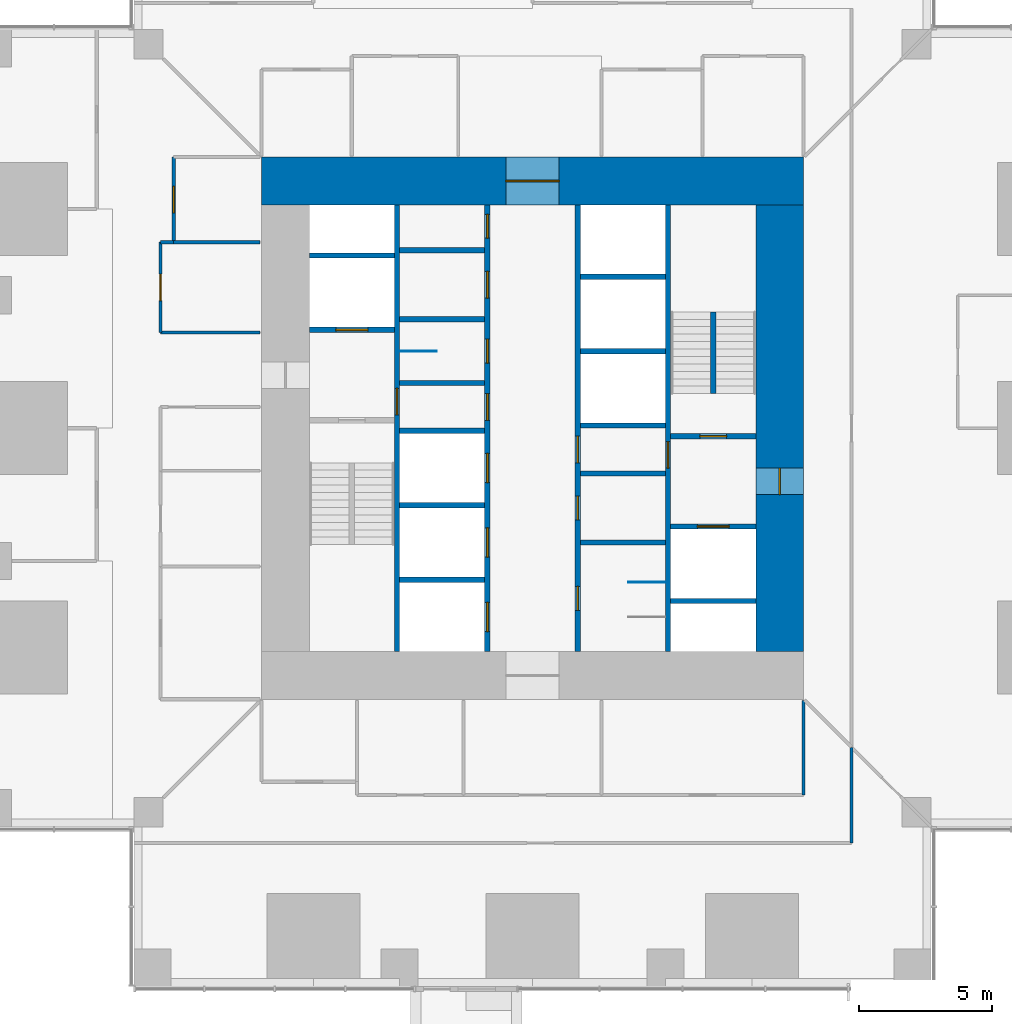
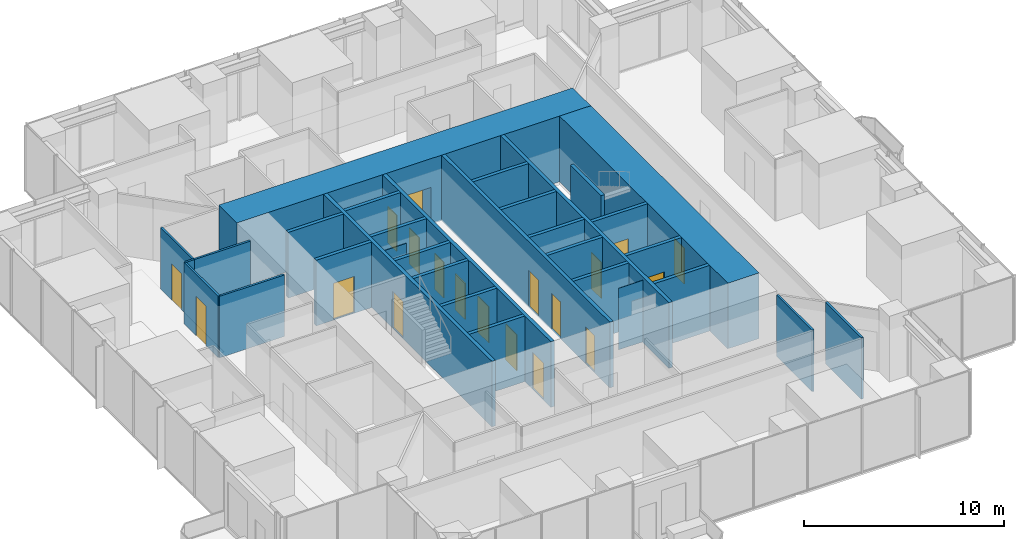
# One storey, part 12 of 17: 32 walls, 19 doors, 19 openings.
"""IFC4 building model written with IfcOpenShell, lengths in metres."""

from ifc_helpers import new_model, si_unit, direction, frame, frame_2d, origin, place, context, subcontext, project, spatial, rectangle, extrude, material, layer, layer_set, type_object, element, fill, save


model = new_model("IFC4")

# Units and contexts
model_context = context("Model", 3, precision=1e-05, world=origin(), true_north=direction((0.0, 1.0)))
body_context = subcontext(model_context, "Body", "Model", "MODEL_VIEW")
ifc_project = project(units=[si_unit("LENGTHUNIT", "METRE"), si_unit("AREAUNIT", "SQUARE_METRE"), si_unit("VOLUMEUNIT", "CUBIC_METRE"), si_unit("PLANEANGLEUNIT", "RADIAN"), si_unit("MASSUNIT", "GRAM", prefix="KILO")], contexts=[model_context])

# Site, building, storey
site_placement = place(None, origin())
site = spatial("IfcSite", under=ifc_project, at=site_placement, CompositionType="ELEMENT")
building_placement = place(site_placement, origin())
building = spatial("IfcBuilding", under=site, at=building_placement, Name="Svetlomir Tower", CompositionType="ELEMENT")
storey_placement = place(building_placement, frame((0.0, 0.0, 30.5)))
storey = spatial("IfcBuildingStorey", under=building, at=storey_placement, Name="L06", CompositionType="ELEMENT", Elevation=30.5)

# Wall, opening, door
ifc_material_1 = material(Name="Concrete C60/75", Category="concrete")
ifc_layer_1 = layer(ifc_material_1, 0.199951171875)
ifc_layer_set_1 = layer_set([ifc_layer_1], Name="Concrete C60/75")
wall_type_1 = type_object("IfcWallType", Name="CORE INNER WALL 200", PredefinedType="SHEAR", material=ifc_layer_set_1)
wall_1_placement = place(storey_placement, frame((15.89990234375, 12.60009765625, -0.050048828125), z_axis=(0.0, 0.0, 1.0), x_axis=(0.0, 1.0, 0.0)))
wall_1 = element("IfcWall", 1, at=wall_1_placement, inside=storey, type_object=wall_type_1, Name="Core inner wall 15.9 L06", PredefinedType="SHEAR", context=body_context, shape_type="SweptSolid", body=[
    extrude(rectangle(XDim=16.7998046875, YDim=0.199951171875, at=frame_2d((8.39990234375, 0.0))), origin(), (0.0, 0.0, 1.0), 4.0),
])
opening_1_placement = place(wall_1_placement, frame((8.89990234375, 0.0, 0.050048828125)))
opening_1 = element("IfcOpeningElement", 2, at=opening_1_placement, cuts=wall_1, Name="Opening DF", PredefinedType="OPENING", context=body_context, shape_type="SweptSolid", body=[
    extrude(rectangle(XDim=1.0, YDim=2.199951171875, at=frame_2d((0.5, 1.10009765625))), frame((0.0, 0.10986328125, 0.0), z_axis=(0.0, -1.0, 0.0), x_axis=(1.0, 0.0, 0.0)), (0.0, 0.0, 1.0), 0.219970703125),
])
ifc_material_2 = material(Name="Steel fire door", Category="steel")
door_type_1 = type_object("IfcDoorType", Name="DOOR DF 1000x2200", OperationType="SINGLE_SWING_LEFT", PredefinedType="DOOR", material=ifc_material_2)
door_1_placement = place(opening_1_placement, origin())
door_1 = element("IfcDoor", 3, at=door_1_placement, inside=storey, type_object=door_type_1, Name="Core corridor west door L06", OperationType="SINGLE_SWING_LEFT", OverallHeight=2.199951171875, OverallWidth=1.0, PredefinedType="DOOR", context=body_context, shape_type="SweptSolid", body=[
    extrude(rectangle(XDim=1.0, YDim=2.199951171875, at=frame_2d((0.5, 1.10009765625))), frame((0.0, 0.02490234375, 0.0), z_axis=(0.0, -1.0, 0.0), x_axis=(1.0, 0.0, 0.0)), (0.0, 0.0, 1.0), 0.050048828125),
])
fill(opening_1, door_1)

# Wall, openings, doors
wall_2_placement = place(storey_placement, frame((19.300048828125, 12.60009765625, -0.050048828125), z_axis=(0.0, 0.0, 1.0), x_axis=(0.0, 1.0, 0.0)))
wall_2 = element("IfcWall", 4, at=wall_2_placement, inside=storey, type_object=wall_type_1, Name="Core inner wall 19.3 L06", PredefinedType="SHEAR", context=body_context, shape_type="SweptSolid", body=[
    extrude(rectangle(XDim=16.7998046875, YDim=0.199951171875, at=frame_2d((8.39990234375, 0.0))), origin(), (0.0, 0.0, 1.0), 4.0),
])
opening_2_placement = place(wall_2_placement, frame((8.699951171875, 0.0, 0.050048828125)))
opening_2 = element("IfcOpeningElement", 5, at=opening_2_placement, cuts=wall_2, Name="Opening DC", PredefinedType="OPENING", context=body_context, shape_type="SweptSolid", body=[
    extrude(rectangle(XDim=1.0, YDim=2.199951171875, at=frame_2d((0.5, 1.10009765625))), frame((0.0, 0.10986328125, 0.0), z_axis=(0.0, -1.0, 0.0), x_axis=(1.0, 0.0, 0.0)), (0.0, 0.0, 1.0), 0.219970703125),
])
opening_3_placement = place(wall_2_placement, frame((10.85009765625, 0.0, 0.050048828125)))
opening_3 = element("IfcOpeningElement", 6, at=opening_3_placement, cuts=wall_2, Name="Opening DW", PredefinedType="OPENING", context=body_context, shape_type="SweptSolid", body=[
    extrude(rectangle(XDim=0.89990234375, YDim=2.199951171875, at=frame_2d((0.449951171875, 1.10009765625))), frame((0.0, 0.10986328125, 0.0), z_axis=(0.0, -1.0, 0.0), x_axis=(1.0, 0.0, 0.0)), (0.0, 0.0, 1.0), 0.219970703125),
])
opening_4_placement = place(wall_2_placement, frame((13.300048828125, 0.0, 0.050048828125)))
opening_4 = element("IfcOpeningElement", 7, at=opening_4_placement, cuts=wall_2, Name="Opening DC", PredefinedType="OPENING", context=body_context, shape_type="SweptSolid", body=[
    extrude(rectangle(XDim=1.0, YDim=2.199951171875, at=frame_2d((0.5, 1.10009765625))), frame((0.0, 0.10986328125, 0.0), z_axis=(0.0, -1.0, 0.0), x_axis=(1.0, 0.0, 0.0)), (0.0, 0.0, 1.0), 0.219970703125),
])
opening_5_placement = place(wall_2_placement, frame((15.550048828125, 0.0, 0.050048828125)))
opening_5 = element("IfcOpeningElement", 8, at=opening_5_placement, cuts=wall_2, Name="Opening DW", PredefinedType="OPENING", context=body_context, shape_type="SweptSolid", body=[
    extrude(rectangle(XDim=0.89990234375, YDim=2.199951171875, at=frame_2d((0.449951171875, 1.10009765625))), frame((0.0, 0.10986328125, 0.0), z_axis=(0.0, -1.0, 0.0), x_axis=(1.0, 0.0, 0.0)), (0.0, 0.0, 1.0), 0.219970703125),
])
opening_6_placement = place(wall_2_placement, frame((0.75, 0.0, 0.050048828125)))
opening_6 = element("IfcOpeningElement", 9, at=opening_6_placement, cuts=wall_2, Name="Opening LD", PredefinedType="OPENING", context=body_context, shape_type="SweptSolid", body=[
    extrude(rectangle(XDim=1.10009765625, YDim=2.199951171875, at=frame_2d((0.550048828125, 1.10009765625))), frame((0.0, 0.10986328125, 0.0), z_axis=(0.0, -1.0, 0.0), x_axis=(1.0, 0.0, 0.0)), (0.0, 0.0, 1.0), 0.219970703125),
])
opening_7_placement = place(wall_2_placement, frame((3.550048828125, 0.0, 0.050048828125)))
opening_7 = element("IfcOpeningElement", 10, at=opening_7_placement, cuts=wall_2, Name="Opening LD", PredefinedType="OPENING", context=body_context, shape_type="SweptSolid", body=[
    extrude(rectangle(XDim=1.10009765625, YDim=2.199951171875, at=frame_2d((0.550048828125, 1.10009765625))), frame((0.0, 0.10986328125, 0.0), z_axis=(0.0, -1.0, 0.0), x_axis=(1.0, 0.0, 0.0)), (0.0, 0.0, 1.0), 0.219970703125),
])
opening_8_placement = place(wall_2_placement, frame((6.35009765625, 0.0, 0.050048828125)))
opening_8 = element("IfcOpeningElement", 11, at=opening_8_placement, cuts=wall_2, Name="Opening LD", PredefinedType="OPENING", context=body_context, shape_type="SweptSolid", body=[
    extrude(rectangle(XDim=1.10009765625, YDim=2.199951171875, at=frame_2d((0.550048828125, 1.10009765625))), frame((0.0, 0.10986328125, 0.0), z_axis=(0.0, -1.0, 0.0), x_axis=(1.0, 0.0, 0.0)), (0.0, 0.0, 1.0), 0.219970703125),
])
ifc_material_3 = material(Name="Timber fire door", Category="wood")
door_type_2 = type_object("IfcDoorType", Name="DOOR DC 1000x2200", OperationType="SINGLE_SWING_LEFT", PredefinedType="DOOR", material=ifc_material_3)
door_2_placement = place(opening_2_placement, origin())
door_2 = element("IfcDoor", 12, at=door_2_placement, inside=storey, type_object=door_type_2, Name="Core corridor west lobby door L06", OperationType="SINGLE_SWING_LEFT", OverallHeight=2.199951171875, OverallWidth=1.0, PredefinedType="DOOR", context=body_context, shape_type="SweptSolid", body=[
    extrude(rectangle(XDim=1.0, YDim=2.199951171875, at=frame_2d((0.5, 1.10009765625))), frame((0.0, 0.02490234375, 0.0), z_axis=(0.0, -1.0, 0.0), x_axis=(1.0, 0.0, 0.0)), (0.0, 0.0, 1.0), 0.050048828125),
])
fill(opening_2, door_2)
door_3_placement = place(opening_4_placement, origin())
door_3 = element("IfcDoor", 13, at=door_3_placement, inside=storey, type_object=door_type_2, Name="Accessible WC door L06", OperationType="SINGLE_SWING_RIGHT", OverallHeight=2.199951171875, OverallWidth=1.0, PredefinedType="DOOR", context=body_context, shape_type="SweptSolid", body=[
    extrude(rectangle(XDim=1.0, YDim=2.199951171875, at=frame_2d((0.5, 1.10009765625))), frame((0.0, 0.02490234375, 0.0), z_axis=(0.0, -1.0, 0.0), x_axis=(1.0, 0.0, 0.0)), (0.0, 0.0, 1.0), 0.050048828125),
])
fill(opening_4, door_3)
ifc_material_4 = material(Name="Timber fire door", Category="wood")
door_type_3 = type_object("IfcDoorType", Name="DOOR DW 900x2200", OperationType="SINGLE_SWING_LEFT", PredefinedType="DOOR", material=ifc_material_4)
door_4_placement = place(opening_3_placement, origin())
door_4 = element("IfcDoor", 14, at=door_4_placement, inside=storey, type_object=door_type_3, Name="Female WC door L06", OperationType="SINGLE_SWING_LEFT", OverallHeight=2.199951171875, OverallWidth=0.89990234375, PredefinedType="DOOR", context=body_context, shape_type="SweptSolid", body=[
    extrude(rectangle(XDim=0.89990234375, YDim=2.199951171875, at=frame_2d((0.449951171875, 1.10009765625))), frame((0.0, 0.02490234375, 0.0), z_axis=(0.0, -1.0, 0.0), x_axis=(1.0, 0.0, 0.0)), (0.0, 0.0, 1.0), 0.050048828125),
])
fill(opening_3, door_4)
door_5_placement = place(opening_5_placement, origin())
door_5 = element("IfcDoor", 15, at=door_5_placement, inside=storey, type_object=door_type_3, Name="First aid room door L06", OperationType="SINGLE_SWING_LEFT", OverallHeight=2.199951171875, OverallWidth=0.89990234375, PredefinedType="DOOR", context=body_context, shape_type="SweptSolid", body=[
    extrude(rectangle(XDim=0.89990234375, YDim=2.199951171875, at=frame_2d((0.449951171875, 1.10009765625))), frame((0.0, 0.02490234375, 0.0), z_axis=(0.0, -1.0, 0.0), x_axis=(1.0, 0.0, 0.0)), (0.0, 0.0, 1.0), 0.050048828125),
])
fill(opening_5, door_5)
ifc_material_5 = material(Name="Stainless steel landing door", Category="steel")
door_type_4 = type_object("IfcDoorType", Name="LIFT LANDING DOOR LD 1100x2200", OperationType="DOUBLE_DOOR_SLIDING", PredefinedType="DOOR", material=ifc_material_5)
door_6_placement = place(opening_6_placement, origin())
door_6 = element("IfcDoor", 16, at=door_6_placement, inside=storey, type_object=door_type_4, Name="Landing door lift LA1 L06", OperationType="DOUBLE_DOOR_SLIDING", OverallHeight=2.199951171875, OverallWidth=1.10009765625, PredefinedType="DOOR", context=body_context, shape_type="SweptSolid", body=[
    extrude(rectangle(XDim=1.10009765625, YDim=2.199951171875, at=frame_2d((0.550048828125, 1.10009765625))), frame((0.0, 0.02490234375, 0.0), z_axis=(0.0, -1.0, 0.0), x_axis=(1.0, 0.0, 0.0)), (0.0, 0.0, 1.0), 0.050048828125),
])
fill(opening_6, door_6)
door_7_placement = place(opening_7_placement, origin())
door_7 = element("IfcDoor", 17, at=door_7_placement, inside=storey, type_object=door_type_4, Name="Landing door lift LA2 L06", OperationType="DOUBLE_DOOR_SLIDING", OverallHeight=2.199951171875, OverallWidth=1.10009765625, PredefinedType="DOOR", context=body_context, shape_type="SweptSolid", body=[
    extrude(rectangle(XDim=1.10009765625, YDim=2.199951171875, at=frame_2d((0.550048828125, 1.10009765625))), frame((0.0, 0.02490234375, 0.0), z_axis=(0.0, -1.0, 0.0), x_axis=(1.0, 0.0, 0.0)), (0.0, 0.0, 1.0), 0.050048828125),
])
fill(opening_7, door_7)
door_8_placement = place(opening_8_placement, origin())
door_8 = element("IfcDoor", 18, at=door_8_placement, inside=storey, type_object=door_type_4, Name="Landing door lift LA3 L06", OperationType="DOUBLE_DOOR_SLIDING", OverallHeight=2.199951171875, OverallWidth=1.10009765625, PredefinedType="DOOR", context=body_context, shape_type="SweptSolid", body=[
    extrude(rectangle(XDim=1.10009765625, YDim=2.199951171875, at=frame_2d((0.550048828125, 1.10009765625))), frame((0.0, 0.02490234375, 0.0), z_axis=(0.0, -1.0, 0.0), x_axis=(1.0, 0.0, 0.0)), (0.0, 0.0, 1.0), 0.050048828125),
])
fill(opening_8, door_8)

wall_3_placement = place(storey_placement, frame((22.699951171875, 12.60009765625, -0.050048828125), z_axis=(0.0, 0.0, 1.0), x_axis=(0.0, 1.0, 0.0)))
wall_3 = element("IfcWall", 19, at=wall_3_placement, inside=storey, type_object=wall_type_1, Name="Core inner wall 22.7 L06", PredefinedType="SHEAR", context=body_context, shape_type="SweptSolid", body=[
    extrude(rectangle(XDim=16.7998046875, YDim=0.199951171875, at=frame_2d((8.39990234375, 0.0))), origin(), (0.0, 0.0, 1.0), 4.0),
])
opening_9_placement = place(wall_3_placement, frame((7.10009765625, 0.0, 0.050048828125)))
opening_9 = element("IfcOpeningElement", 20, at=opening_9_placement, cuts=wall_3, Name="Opening DC", PredefinedType="OPENING", context=body_context, shape_type="SweptSolid", body=[
    extrude(rectangle(XDim=1.0, YDim=2.199951171875, at=frame_2d((0.5, 1.10009765625))), frame((0.0, 0.10986328125, 0.0), z_axis=(0.0, -1.0, 0.0), x_axis=(1.0, 0.0, 0.0)), (0.0, 0.0, 1.0), 0.219970703125),
])
opening_10_placement = place(wall_3_placement, frame((1.550048828125, 0.0, 0.050048828125)))
opening_10 = element("IfcOpeningElement", 21, at=opening_10_placement, cuts=wall_3, Name="Opening DW", PredefinedType="OPENING", context=body_context, shape_type="SweptSolid", body=[
    extrude(rectangle(XDim=0.89990234375, YDim=2.199951171875, at=frame_2d((0.449951171875, 1.10009765625))), frame((0.0, 0.10986328125, 0.0), z_axis=(0.0, -1.0, 0.0), x_axis=(1.0, 0.0, 0.0)), (0.0, 0.0, 1.0), 0.219970703125),
])
opening_11_placement = place(wall_3_placement, frame((4.949951171875, 0.0, 0.050048828125)))
opening_11 = element("IfcOpeningElement", 22, at=opening_11_placement, cuts=wall_3, Name="Opening DW", PredefinedType="OPENING", context=body_context, shape_type="SweptSolid", body=[
    extrude(rectangle(XDim=0.89990234375, YDim=2.199951171875, at=frame_2d((0.449951171875, 1.10009765625))), frame((0.0, 0.10986328125, 0.0), z_axis=(0.0, -1.0, 0.0), x_axis=(1.0, 0.0, 0.0)), (0.0, 0.0, 1.0), 0.219970703125),
])
door_9_placement = place(opening_9_placement, origin())
door_9 = element("IfcDoor", 23, at=door_9_placement, inside=storey, type_object=door_type_2, Name="Core corridor east lobby door L06", OperationType="SINGLE_SWING_RIGHT", OverallHeight=2.199951171875, OverallWidth=1.0, PredefinedType="DOOR", context=body_context, shape_type="SweptSolid", body=[
    extrude(rectangle(XDim=1.0, YDim=2.199951171875, at=frame_2d((0.5, 1.10009765625))), frame((0.0, 0.02490234375, 0.0), z_axis=(0.0, -1.0, 0.0), x_axis=(1.0, 0.0, 0.0)), (0.0, 0.0, 1.0), 0.050048828125),
])
fill(opening_9, door_9)
door_10_placement = place(opening_10_placement, origin())
door_10 = element("IfcDoor", 24, at=door_10_placement, inside=storey, type_object=door_type_3, Name="Male WC door L06", OperationType="SINGLE_SWING_RIGHT", OverallHeight=2.199951171875, OverallWidth=0.89990234375, PredefinedType="DOOR", context=body_context, shape_type="SweptSolid", body=[
    extrude(rectangle(XDim=0.89990234375, YDim=2.199951171875, at=frame_2d((0.449951171875, 1.10009765625))), frame((0.0, 0.02490234375, 0.0), z_axis=(0.0, -1.0, 0.0), x_axis=(1.0, 0.0, 0.0)), (0.0, 0.0, 1.0), 0.050048828125),
])
fill(opening_10, door_10)
door_11_placement = place(opening_11_placement, origin())
door_11 = element("IfcDoor", 25, at=door_11_placement, inside=storey, type_object=door_type_3, Name="Comms room door L06", OperationType="SINGLE_SWING_LEFT", OverallHeight=2.199951171875, OverallWidth=0.89990234375, PredefinedType="DOOR", context=body_context, shape_type="SweptSolid", body=[
    extrude(rectangle(XDim=0.89990234375, YDim=2.199951171875, at=frame_2d((0.449951171875, 1.10009765625))), frame((0.0, 0.02490234375, 0.0), z_axis=(0.0, -1.0, 0.0), x_axis=(1.0, 0.0, 0.0)), (0.0, 0.0, 1.0), 0.050048828125),
])
fill(opening_11, door_11)

# Wall, opening, door
wall_4_placement = place(storey_placement, frame((26.10009765625, 12.60009765625, -0.050048828125), z_axis=(0.0, 0.0, 1.0), x_axis=(0.0, 1.0, 0.0)))
wall_4 = element("IfcWall", 26, at=wall_4_placement, inside=storey, type_object=wall_type_1, Name="Core inner wall 26.1 L06", PredefinedType="SHEAR", context=body_context, shape_type="SweptSolid", body=[
    extrude(rectangle(XDim=16.7998046875, YDim=0.199951171875, at=frame_2d((8.39990234375, 0.0))), origin(), (0.0, 0.0, 1.0), 4.0),
])
opening_12_placement = place(wall_4_placement, frame((6.89990234375, 0.0, 0.050048828125)))
opening_12 = element("IfcOpeningElement", 27, at=opening_12_placement, cuts=wall_4, Name="Opening DF", PredefinedType="OPENING", context=body_context, shape_type="SweptSolid", body=[
    extrude(rectangle(XDim=1.0, YDim=2.199951171875, at=frame_2d((0.5, 1.10009765625))), frame((0.0, 0.10986328125, 0.0), z_axis=(0.0, -1.0, 0.0), x_axis=(1.0, 0.0, 0.0)), (0.0, 0.0, 1.0), 0.219970703125),
])
door_12_placement = place(opening_12_placement, origin())
door_12 = element("IfcDoor", 28, at=door_12_placement, inside=storey, type_object=door_type_1, Name="Core corridor east door L06", OperationType="SINGLE_SWING_LEFT", OverallHeight=2.199951171875, OverallWidth=1.0, PredefinedType="DOOR", context=body_context, shape_type="SweptSolid", body=[
    extrude(rectangle(XDim=1.0, YDim=2.199951171875, at=frame_2d((0.5, 1.10009765625))), frame((0.0, 0.02490234375, 0.0), z_axis=(0.0, -1.0, 0.0), x_axis=(1.0, 0.0, 0.0)), (0.0, 0.0, 1.0), 0.050048828125),
])
fill(opening_12, door_12)

wall_5_placement = place(storey_placement, frame((12.60009765625, 24.699951171875, -0.050048828125), z_axis=(0.0, 0.0, 1.0), x_axis=(1.0, 0.0, 0.0)))
wall_5 = element("IfcWall", 29, at=wall_5_placement, inside=storey, type_object=wall_type_1, Name="Core inner wall 12.6-15.8/24.7 L06", PredefinedType="SHEAR", context=body_context, shape_type="SweptSolid", body=[
    extrude(rectangle(XDim=3.199951171875, YDim=0.199951171875, at=frame_2d((1.60009765625, 0.0))), origin(), (0.0, 0.0, 1.0), 4.0),
])
opening_13_placement = place(wall_5_placement, frame((1.0, 0.0, 0.050048828125)))
opening_13 = element("IfcOpeningElement", 30, at=opening_13_placement, cuts=wall_5, Name="Opening LD3", PredefinedType="OPENING", context=body_context, shape_type="SweptSolid", body=[
    extrude(rectangle(XDim=1.199951171875, YDim=2.199951171875, at=frame_2d((0.60009765625, 1.10009765625))), frame((0.0, 0.10986328125, 0.0), z_axis=(0.0, -1.0, 0.0), x_axis=(1.0, 0.0, 0.0)), (0.0, 0.0, 1.0), 0.219970703125),
])
ifc_material_6 = material(Name="Stainless steel fire-rated landing door", Category="steel")
door_type_5 = type_object("IfcDoorType", Name="FIREFIGHTING LIFT LANDING DOOR LD3 1200x2200", OperationType="DOUBLE_DOOR_SLIDING", PredefinedType="DOOR", material=ifc_material_6)
door_13_placement = place(opening_13_placement, origin())
door_13 = element("IfcDoor", 31, at=door_13_placement, inside=storey, type_object=door_type_5, Name="Landing door lift FL1 L06", OperationType="DOUBLE_DOOR_SLIDING", OverallHeight=2.199951171875, OverallWidth=1.199951171875, PredefinedType="DOOR", context=body_context, shape_type="SweptSolid", body=[
    extrude(rectangle(XDim=1.199951171875, YDim=2.199951171875, at=frame_2d((0.60009765625, 1.10009765625))), frame((0.0, 0.02490234375, 0.0), z_axis=(0.0, -1.0, 0.0), x_axis=(1.0, 0.0, 0.0)), (0.0, 0.0, 1.0), 0.050048828125),
])
fill(opening_13, door_13)

# Walls
for number, where, z_axis, x_axis, name in (
    (32, (12.60009765625, 27.5, -0.050048828125), (0.0, 0.0, 1.0), (1.0, 0.0, 0.0), "Core inner wall 12.6-15.8/27.5 L06"),
    (33, (16.0, 15.300048828125, -0.050048828125), (0.0, 0.0, 1.0), (1.0, 0.0, 0.0), "Core inner wall 16-19.2/15.3 L06"),
    (34, (16.0, 18.10009765625, -0.050048828125), (0.0, 0.0, 1.0), (1.0, 0.0, 0.0), "Core inner wall 16-19.2/18.1 L06"),
    (35, (16.0, 20.89990234375, -0.050048828125), (0.0, 0.0, 1.0), (1.0, 0.0, 0.0), "Core inner wall 16-19.2/20.9 L06"),
    (36, (16.0, 22.699951171875, -0.050048828125), (0.0, 0.0, 1.0), (1.0, 0.0, 0.0), "Core inner wall 16-19.2/22.7 L06"),
    (37, (16.0, 25.10009765625, -0.050048828125), (0.0, 0.0, 1.0), (1.0, 0.0, 0.0), "Core inner wall 16-19.2/25.1 L06"),
    (38, (16.0, 27.699951171875, -0.050048828125), (0.0, 0.0, 1.0), (1.0, 0.0, 0.0), "Core inner wall 16-19.2/27.7 L06"),
    (39, (22.800048828125, 16.699951171875, -0.050048828125), (0.0, 0.0, 1.0), (1.0, 0.0, 0.0), "Core inner wall 22.8-26/16.7 L06"),
    (40, (22.800048828125, 19.300048828125, -0.050048828125), (0.0, 0.0, 1.0), (1.0, 0.0, 0.0), "Core inner wall 22.8-26/19.3 L06"),
    (41, (22.800048828125, 21.10009765625, -0.050048828125), (0.0, 0.0, 1.0), (1.0, 0.0, 0.0), "Core inner wall 22.8-26/21.1 L06"),
    (42, (22.800048828125, 23.89990234375, -0.050048828125), (0.0, 0.0, 1.0), (1.0, 0.0, 0.0), "Core inner wall 22.8-26/23.9 L06"),
    (43, (22.800048828125, 26.699951171875, -0.050048828125), (0.0, 0.0, 1.0), (1.0, 0.0, 0.0), "Core inner wall 22.8-26/26.7 L06"),
    (44, (26.199951171875, 14.5, -0.050048828125), (0.0, 0.0, 1.0), (1.0, 0.0, 0.0), "Core inner wall 26.2-29.4/14.5 L06"),
):
    element("IfcWall", number, at=place(storey_placement, frame(where, z_axis=z_axis, x_axis=x_axis)), inside=storey, type_object=wall_type_1, Name=name, PredefinedType="SHEAR", context=body_context, shape_type="SweptSolid", body=[
        extrude(rectangle(XDim=3.199951171875, YDim=0.199951171875, at=frame_2d((1.60009765625, 0.0))), origin(), (0.0, 0.0, 1.0), 4.0),
    ])

# Wall, opening, door
wall_6_placement = place(storey_placement, frame((26.199951171875, 17.300048828125, -0.050048828125), z_axis=(0.0, 0.0, 1.0), x_axis=(1.0, 0.0, 0.0)))
wall_6 = element("IfcWall", 45, at=wall_6_placement, inside=storey, type_object=wall_type_1, Name="Core inner wall 26.2-29.4/17.3 L06", PredefinedType="SHEAR", context=body_context, shape_type="SweptSolid", body=[
    extrude(rectangle(XDim=3.199951171875, YDim=0.199951171875, at=frame_2d((1.60009765625, 0.0))), origin(), (0.0, 0.0, 1.0), 4.0),
])
opening_14_placement = place(wall_6_placement, frame((1.0, 0.0, 0.050048828125)))
opening_14 = element("IfcOpeningElement", 46, at=opening_14_placement, cuts=wall_6, Name="Opening LD3", PredefinedType="OPENING", context=body_context, shape_type="SweptSolid", body=[
    extrude(rectangle(XDim=1.199951171875, YDim=2.199951171875, at=frame_2d((0.60009765625, 1.10009765625))), frame((0.0, 0.10986328125, 0.0), z_axis=(0.0, -1.0, 0.0), x_axis=(1.0, 0.0, 0.0)), (0.0, 0.0, 1.0), 0.219970703125),
])
door_14_placement = place(opening_14_placement, origin())
door_14 = element("IfcDoor", 47, at=door_14_placement, inside=storey, type_object=door_type_5, Name="Landing door lift FL2 L06", OperationType="DOUBLE_DOOR_SLIDING", OverallHeight=2.199951171875, OverallWidth=1.199951171875, PredefinedType="DOOR", context=body_context, shape_type="SweptSolid", body=[
    extrude(rectangle(XDim=1.199951171875, YDim=2.199951171875, at=frame_2d((0.60009765625, 1.10009765625))), frame((0.0, 0.02490234375, 0.0), z_axis=(0.0, -1.0, 0.0), x_axis=(1.0, 0.0, 0.0)), (0.0, 0.0, 1.0), 0.050048828125),
])
fill(opening_14, door_14)

wall_7_placement = place(storey_placement, frame((26.199951171875, 20.699951171875, -0.050048828125), z_axis=(0.0, 0.0, 1.0), x_axis=(1.0, 0.0, 0.0)))
wall_7 = element("IfcWall", 48, at=wall_7_placement, inside=storey, type_object=wall_type_1, Name="Core inner wall 26.2-29.4/20.7 L06", PredefinedType="SHEAR", context=body_context, shape_type="SweptSolid", body=[
    extrude(rectangle(XDim=3.199951171875, YDim=0.199951171875, at=frame_2d((1.60009765625, 0.0))), origin(), (0.0, 0.0, 1.0), 4.0),
])
opening_15_placement = place(wall_7_placement, frame((1.10009765625, 0.0, 0.050048828125)))
opening_15 = element("IfcOpeningElement", 49, at=opening_15_placement, cuts=wall_7, Name="Opening DF", PredefinedType="OPENING", context=body_context, shape_type="SweptSolid", body=[
    extrude(rectangle(XDim=1.0, YDim=2.199951171875, at=frame_2d((0.5, 1.10009765625))), frame((0.0, 0.10986328125, 0.0), z_axis=(0.0, -1.0, 0.0), x_axis=(1.0, 0.0, 0.0)), (0.0, 0.0, 1.0), 0.219970703125),
])
door_15_placement = place(opening_15_placement, origin())
door_15 = element("IfcDoor", 50, at=door_15_placement, inside=storey, type_object=door_type_1, Name="Stair S2 door L06", OperationType="SINGLE_SWING_RIGHT", OverallHeight=2.199951171875, OverallWidth=1.0, PredefinedType="DOOR", context=body_context, shape_type="SweptSolid", body=[
    extrude(rectangle(XDim=1.0, YDim=2.199951171875, at=frame_2d((0.5, 1.10009765625))), frame((0.0, 0.02490234375, 0.0), z_axis=(0.0, -1.0, 0.0), x_axis=(1.0, 0.0, 0.0)), (0.0, 0.0, 1.0), 0.050048828125),
])
fill(opening_15, door_15)

ifc_material_7 = material(Name="Concrete C60/75", Category="concrete")
ifc_layer_2 = layer(ifc_material_7, 1.800048828125)
ifc_layer_set_2 = layer_set([ifc_layer_2], Name="Concrete C60/75")
wall_type_2 = type_object("IfcWallType", Name="CORE WALL 1800", PredefinedType="SHEAR", material=ifc_layer_set_2)
wall_8_placement = place(storey_placement, frame((10.800048828125, 30.300048828125, -0.050048828125), z_axis=(0.0, 0.0, 1.0), x_axis=(1.0, 0.0, 0.0)))
wall_8 = element("IfcWall", 51, at=wall_8_placement, inside=storey, type_object=wall_type_2, Name="Core wall north L06", PredefinedType="SHEAR", context=body_context, shape_type="SweptSolid", body=[
    extrude(rectangle(XDim=20.39990234375, YDim=1.800048828125, at=frame_2d((10.199951171875, 0.0))), origin(), (0.0, 0.0, 1.0), 4.0),
])
opening_16_placement = place(wall_8_placement, frame((9.199951171875, 0.0, 0.050048828125)))
opening_16 = element("IfcOpeningElement", 52, at=opening_16_placement, cuts=wall_8, Name="Opening DL", PredefinedType="OPENING", context=body_context, shape_type="SweptSolid", body=[
    extrude(rectangle(XDim=2.0, YDim=2.199951171875, at=frame_2d((1.0, 1.10009765625))), frame((0.0, 0.91015625, 0.0), z_axis=(0.0, -1.0, 0.0), x_axis=(1.0, 0.0, 0.0)), (0.0, 0.0, 1.0), 1.820068359375),
])
ifc_material_8 = material(Name="Steel fire door", Category="steel")
door_type_6 = type_object("IfcDoorType", Name="DOOR DL 2000x2200", OperationType="DOUBLE_DOOR_SINGLE_SWING", PredefinedType="DOOR", material=ifc_material_8)
door_16_placement = place(opening_16_placement, origin())
door_16 = element("IfcDoor", 53, at=door_16_placement, inside=storey, type_object=door_type_6, Name="Lift lobby north door L06", OperationType="DOUBLE_DOOR_SINGLE_SWING", OverallHeight=2.199951171875, OverallWidth=2.0, PredefinedType="DOOR", context=body_context, shape_type="SweptSolid", body=[
    extrude(rectangle(XDim=2.0, YDim=2.199951171875, at=frame_2d((1.0, 1.10009765625))), frame((0.0, 0.02490234375, 0.0), z_axis=(0.0, -1.0, 0.0), x_axis=(1.0, 0.0, 0.0)), (0.0, 0.0, 1.0), 0.050048828125),
])
fill(opening_16, door_16)

wall_9_placement = place(storey_placement, frame((30.300048828125, 12.60009765625, -0.050048828125), z_axis=(0.0, 0.0, 1.0), x_axis=(0.0, 1.0, 0.0)))
wall_9 = element("IfcWall", 54, at=wall_9_placement, inside=storey, type_object=wall_type_2, Name="Core wall east L06", PredefinedType="SHEAR", context=body_context, shape_type="SweptSolid", body=[
    extrude(rectangle(XDim=16.7998046875, YDim=1.800048828125, at=frame_2d((8.39990234375, 0.0))), origin(), (0.0, 0.0, 1.0), 4.0),
])
opening_17_placement = place(wall_9_placement, frame((5.89990234375, 0.0, 0.050048828125)))
opening_17 = element("IfcOpeningElement", 55, at=opening_17_placement, cuts=wall_9, Name="Opening DF", PredefinedType="OPENING", context=body_context, shape_type="SweptSolid", body=[
    extrude(rectangle(XDim=1.0, YDim=2.199951171875, at=frame_2d((0.5, 1.10009765625))), frame((0.0, 0.91015625, 0.0), z_axis=(0.0, -1.0, 0.0), x_axis=(1.0, 0.0, 0.0)), (0.0, 0.0, 1.0), 1.820068359375),
])
door_17_placement = place(opening_17_placement, origin())
door_17 = element("IfcDoor", 56, at=door_17_placement, inside=storey, type_object=door_type_1, Name="Firefighting lobby east door L06", OperationType="SINGLE_SWING_RIGHT", OverallHeight=2.199951171875, OverallWidth=1.0, PredefinedType="DOOR", context=body_context, shape_type="SweptSolid", body=[
    extrude(rectangle(XDim=1.0, YDim=2.199951171875, at=frame_2d((0.5, 1.10009765625))), frame((0.0, 0.02490234375, 0.0), z_axis=(0.0, -1.0, 0.0), x_axis=(1.0, 0.0, 0.0)), (0.0, 0.0, 1.0), 0.050048828125),
])
fill(opening_17, door_17)

ifc_material_9 = material(Name="Gypsum board on steel studs", Category="steel")
ifc_layer_3 = layer(ifc_material_9, 0.1201171875)
ifc_layer_set_3 = layer_set([ifc_layer_3], Name="Gypsum board on steel studs")
wall_type_3 = type_object("IfcWallType", Name="PARTITION 120", PredefinedType="PARTITIONING", material=ifc_layer_set_3)
wall_10_placement = place(storey_placement, frame((7.0, 24.60009765625, 0.0), z_axis=(0.0, 0.0, 1.0), x_axis=(0.0, 1.0, 0.0)))
wall_10 = element("IfcWall", 57, at=wall_10_placement, inside=storey, type_object=wall_type_3, Name="Partition L06", PredefinedType="PARTITIONING", context=body_context, shape_type="SweptSolid", body=[
    extrude(rectangle(XDim=3.39990234375, YDim=0.1201171875, at=frame_2d((1.699951171875, 0.0))), origin(), (0.0, 0.0, 1.0), 3.75),
])
opening_18_placement = place(wall_10_placement, frame((1.199951171875, 0.0, 0.0)))
opening_18 = element("IfcOpeningElement", 58, at=opening_18_placement, cuts=wall_10, Name="Opening DG", PredefinedType="OPENING", context=body_context, shape_type="SweptSolid", body=[
    extrude(rectangle(XDim=1.0, YDim=2.39990234375, at=frame_2d((0.5, 1.199951171875))), frame((0.0, 0.070068359375, 0.0), z_axis=(0.0, -1.0, 0.0), x_axis=(1.0, 0.0, 0.0)), (0.0, 0.0, 1.0), 0.14013671875),
])
ifc_material_10 = material(Name="Framed laminated glass door", Category="glass")
door_type_7 = type_object("IfcDoorType", Name="GLAZED DOOR DG 1000x2400", OperationType="SINGLE_SWING_LEFT", PredefinedType="DOOR", material=ifc_material_10)
door_18_placement = place(opening_18_placement, origin())
door_18 = element("IfcDoor", 59, at=door_18_placement, inside=storey, type_object=door_type_7, Name="Phone rooms door L06", OperationType="SINGLE_SWING_RIGHT", OverallHeight=2.39990234375, OverallWidth=1.0, PredefinedType="DOOR", context=body_context, shape_type="SweptSolid", body=[
    extrude(rectangle(XDim=1.0, YDim=2.39990234375, at=frame_2d((0.5, 1.199951171875))), frame((0.0, 0.02490234375, 0.0), z_axis=(0.0, -1.0, 0.0), x_axis=(1.0, 0.0, 0.0)), (0.0, 0.0, 1.0), 0.050048828125),
])
fill(opening_18, door_18)

# Walls
wall_11_placement = place(storey_placement, frame((7.0, 24.60009765625, 0.0), z_axis=(0.0, 0.0, 1.0), x_axis=(1.0, 0.0, 0.0)))
element("IfcWall", 60, at=wall_11_placement, inside=storey, type_object=wall_type_3, Name="Partition L06", PredefinedType="PARTITIONING", context=body_context, shape_type="SweptSolid", body=[
    extrude(rectangle(XDim=3.75, YDim=0.1201171875, at=frame_2d((1.875, 0.0))), origin(), (0.0, 0.0, 1.0), 3.75),
])
wall_12_placement = place(storey_placement, frame((7.0, 28.0, 0.0), z_axis=(0.0, 0.0, 1.0), x_axis=(1.0, 0.0, 0.0)))
element("IfcWall", 61, at=wall_12_placement, inside=storey, type_object=wall_type_3, Name="Partition L06", PredefinedType="PARTITIONING", context=body_context, shape_type="SweptSolid", body=[
    extrude(rectangle(XDim=0.5, YDim=0.1201171875, at=frame_2d((0.25, 0.0))), origin(), (0.0, 0.0, 1.0), 3.75),
])

# Wall, opening, door
wall_13_placement = place(storey_placement, frame((7.5, 28.0, 0.0), z_axis=(0.0, 0.0, 1.0), x_axis=(0.0, 1.0, 0.0)))
wall_13 = element("IfcWall", 62, at=wall_13_placement, inside=storey, type_object=wall_type_3, Name="Partition L06", PredefinedType="PARTITIONING", context=body_context, shape_type="SweptSolid", body=[
    extrude(rectangle(XDim=3.199951171875, YDim=0.1201171875, at=frame_2d((1.60009765625, 0.0))), origin(), (0.0, 0.0, 1.0), 3.75),
])
opening_19_placement = place(wall_13_placement, frame((1.10009765625, 0.0, 0.0)))
opening_19 = element("IfcOpeningElement", 63, at=opening_19_placement, cuts=wall_13, Name="Opening DR", PredefinedType="OPENING", context=body_context, shape_type="SweptSolid", body=[
    extrude(rectangle(XDim=1.0, YDim=2.199951171875, at=frame_2d((0.5, 1.10009765625))), frame((0.0, 0.070068359375, 0.0), z_axis=(0.0, -1.0, 0.0), x_axis=(1.0, 0.0, 0.0)), (0.0, 0.0, 1.0), 0.14013671875),
])
ifc_material_11 = material(Name="Timber door, glazed side light", Category="wood")
door_type_8 = type_object("IfcDoorType", Name="DOOR DR 1000x2200", OperationType="SINGLE_SWING_LEFT", PredefinedType="DOOR", material=ifc_material_11)
door_19_placement = place(opening_19_placement, origin())
door_19 = element("IfcDoor", 64, at=door_19_placement, inside=storey, type_object=door_type_8, Name="Store door L06", OperationType="SINGLE_SWING_LEFT", OverallHeight=2.199951171875, OverallWidth=1.0, PredefinedType="DOOR", context=body_context, shape_type="SweptSolid", body=[
    extrude(rectangle(XDim=1.0, YDim=2.199951171875, at=frame_2d((0.5, 1.10009765625))), frame((0.0, 0.02490234375, 0.0), z_axis=(0.0, -1.0, 0.0), x_axis=(1.0, 0.0, 0.0)), (0.0, 0.0, 1.0), 0.050048828125),
])
fill(opening_19, door_19)

# Walls
wall_14_placement = place(storey_placement, frame((7.5, 28.0, 0.0), z_axis=(0.0, 0.0, 1.0), x_axis=(1.0, 0.0, 0.0)))
element("IfcWall", 65, at=wall_14_placement, inside=storey, type_object=wall_type_3, Name="Partition L06", PredefinedType="PARTITIONING", context=body_context, shape_type="SweptSolid", body=[
    extrude(rectangle(XDim=3.25, YDim=0.1201171875, at=frame_2d((1.625, 0.0))), origin(), (0.0, 0.0, 1.0), 3.75),
])
wall_15_placement = place(storey_placement, frame((31.199951171875, 7.199951171875, 0.0), z_axis=(0.0, 0.0, 1.0), x_axis=(0.0, 1.0, 0.0)))
element("IfcWall", 66, at=wall_15_placement, inside=storey, type_object=wall_type_3, Name="Partition L06", PredefinedType="PARTITIONING", context=body_context, shape_type="SweptSolid", body=[
    extrude(rectangle(XDim=3.550048828125, YDim=0.1201171875, at=frame_2d((1.77490234375, 0.0))), origin(), (0.0, 0.0, 1.0), 3.75),
])
wall_16_placement = place(storey_placement, frame((33.0, 5.39990234375, 0.0), z_axis=(0.0, 0.0, 1.0), x_axis=(0.0, 1.0, 0.0)))
element("IfcWall", 67, at=wall_16_placement, inside=storey, type_object=wall_type_3, Name="Partition L06", PredefinedType="PARTITIONING", context=body_context, shape_type="SweptSolid", body=[
    extrude(rectangle(XDim=3.590087890625, YDim=0.1201171875, at=frame_2d((1.794921875, 0.0))), origin(), (0.0, 0.0, 1.0), 3.75),
])
ifc_material_12 = material(Name="Concrete C60/75", Category="concrete")
ifc_layer_4 = layer(ifc_material_12, 0.199951171875)
ifc_layer_set_4 = layer_set([ifc_layer_4], Name="Concrete C60/75")
wall_type_4 = type_object("IfcWallType", Name="STAIR SPINE WALL 200", PredefinedType="PARTITIONING", material=ifc_layer_set_4)
wall_17_placement = place(storey_placement, frame((27.800048828125, 22.300048828125, 0.0), z_axis=(0.0, 0.0, 1.0), x_axis=(0.0, 1.0, 0.0)))
element("IfcWall", 68, at=wall_17_placement, inside=storey, type_object=wall_type_4, Name="Stair S2 spine wall L06", PredefinedType="PARTITIONING", context=body_context, shape_type="SweptSolid", body=[
    extrude(rectangle(XDim=3.079833984375, YDim=0.199951171875, at=frame_2d((1.5400390625, 0.0))), origin(), (0.0, 0.0, 1.0), 4.0),
])
ifc_material_13 = material(Name="Compact laminate panel", Category="plastic")
ifc_layer_5 = layer(ifc_material_13, 0.030029296875)
ifc_layer_set_5 = layer_set([ifc_layer_5], Name="Compact laminate panel")
wall_type_5 = type_object("IfcWallType", Name="WC CUBICLE PARTITION 30", PredefinedType="PARTITIONING", material=ifc_layer_set_5)
for number, where, z_axis, x_axis, name in (
    (69, (24.60009765625, 15.199951171875, 0.0), (0.0, 0.0, 1.0), (1.0, 0.0, 0.0), "WC cubicle partition L06"),
    (70, (16.0, 23.89990234375, 0.0), (0.0, 0.0, 1.0), (1.0, 0.0, 0.0), "WC cubicle partition L06"),
):
    element("IfcWall", number, at=place(storey_placement, frame(where, z_axis=z_axis, x_axis=x_axis)), inside=storey, type_object=wall_type_5, Name=name, PredefinedType="PARTITIONING", context=body_context, shape_type="SweptSolid", body=[
        extrude(rectangle(XDim=1.39990234375, YDim=0.030029296875, at=frame_2d((0.699951171875, 0.0))), origin(), (0.0, 0.0, 1.0), 3.75),
    ])

save(model, "model.ifc")
